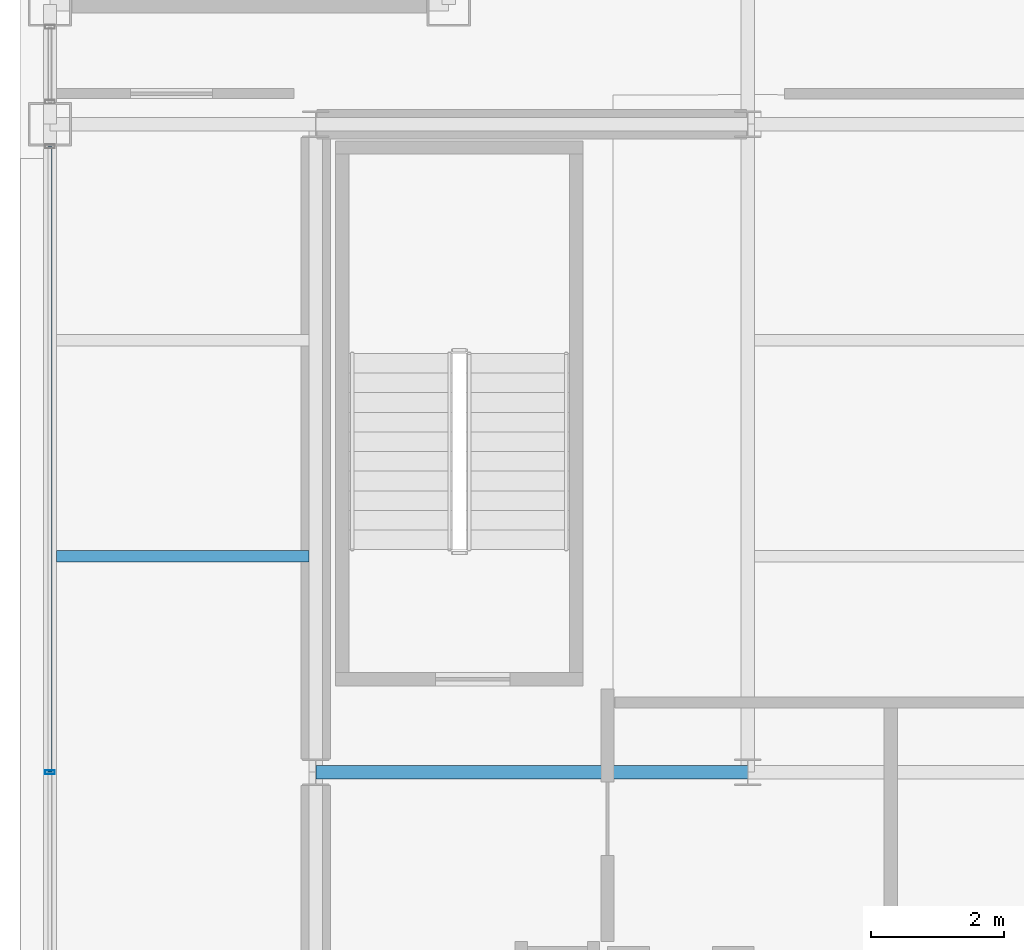
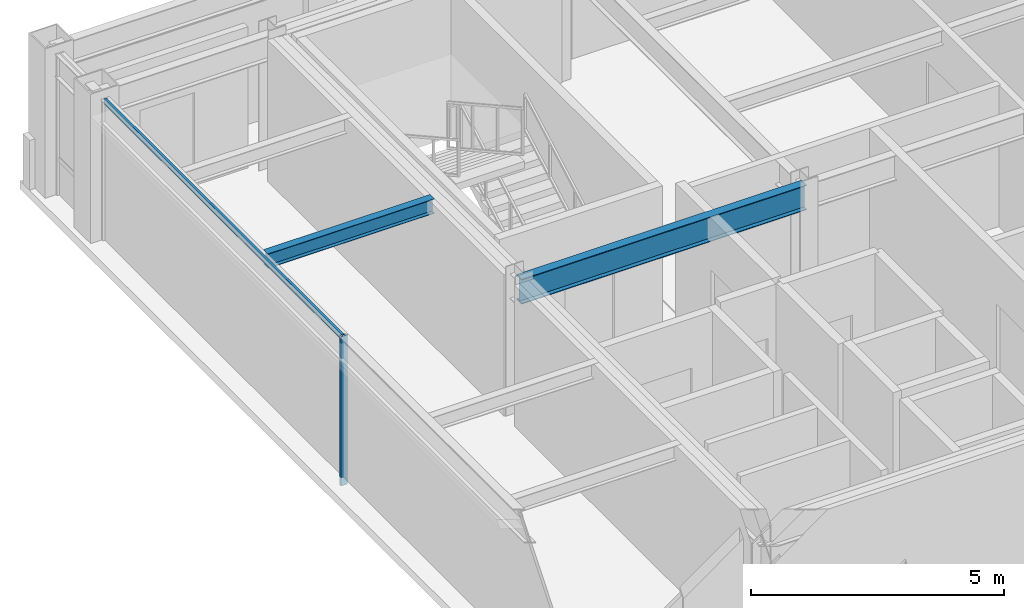
# One storey, part 7 of 24: 2 beams, 2 members, 1 element without a shape of its own.
"""IFC4 building model written with IfcOpenShell, lengths in metres."""

from ifc_helpers import new_model, si_unit, direction, frame, origin, origin_2d, place, context, subcontext, project, spatial, hollow_rectangle, i_section, extrude, material, layer, layer_set, material_profile, profile_set, type_object, element, aggregate, save


model = new_model("IFC4")

# Units and contexts
model_context = context("Model", 3, precision=1e-05, world=origin(), true_north=direction((0.0, 1.0)))
body_context = subcontext(model_context, "Body", "Model", "MODEL_VIEW")
ifc_project = project(units=[si_unit("LENGTHUNIT", "METRE"), si_unit("AREAUNIT", "SQUARE_METRE"), si_unit("VOLUMEUNIT", "CUBIC_METRE"), si_unit("PLANEANGLEUNIT", "RADIAN"), si_unit("MASSUNIT", "GRAM", prefix="KILO")], contexts=[model_context])

# Site, building, storey
site_placement = place(None, origin())
site = spatial("IfcSite", under=ifc_project, at=site_placement, CompositionType="ELEMENT")
building_placement = place(site_placement, origin())
building = spatial("IfcBuilding", under=site, at=building_placement, Name="Brelmoor Portico Tower", CompositionType="ELEMENT")
storey_placement = place(building_placement, frame((0.0, 0.0, 232.800048828125)))
storey = spatial("IfcBuildingStorey", under=building, at=storey_placement, Name="L61", CompositionType="ELEMENT", Elevation=232.800048828125)

# Beams
ifc_material_1 = material(Name="Steel Q355B", Category="steel")
ifc_material_profile_1 = material_profile(ifc_material_1, i_section(OverallWidth=0.175048828125, OverallDepth=0.35009765625, WebThickness=0.007080078125, FlangeThickness=0.010986328125, at=origin_2d()), Name="HN 350x175x7x11")
ifc_profile_set_1 = profile_set([ifc_material_profile_1], Name="Steel Q355B")
beam_type_1 = type_object("IfcBeamType", Name="BM-JS-350", PredefinedType="JOIST", material=ifc_profile_set_1)
beam_1_placement = place(storey_placement, frame((-18.449951171875, 3.25, 3.224853515625), z_axis=(1.0, 0.0, 0.0), x_axis=(0.0, 1.0, 0.0)))
element("IfcBeam", 1, at=beam_1_placement, inside=storey, type_object=beam_type_1, Name="L61 Secondary Wing Joist JS-W09", PredefinedType="JOIST", context=body_context, shape_type="SweptSolid", body=[
    extrude(i_section(OverallWidth=0.175048828125, OverallDepth=0.35009765625, WebThickness=0.007080078125, FlangeThickness=0.010986328125, at=origin_2d()), origin(), (0.0, 0.0, 1.0), 3.800048828125),
])
ifc_material_profile_2 = material_profile(ifc_material_1, i_section(OverallWidth=0.199951171875, OverallDepth=0.60009765625, WebThickness=0.010986328125, FlangeThickness=0.01708984375, at=origin_2d()), Name="HN 600x200x11x17")
ifc_profile_set_2 = profile_set([ifc_material_profile_2], Name="Steel Q355B")
beam_type_2 = type_object("IfcBeamType", Name="BM-PG-600", PredefinedType="BEAM", material=ifc_profile_set_2)
beam_2_placement = place(storey_placement, frame((-14.550048828125, 0.0, 3.099853515625), z_axis=(1.0, 0.0, 0.0), x_axis=(0.0, 1.0, 0.0)))
element("IfcBeam", 2, at=beam_2_placement, inside=storey, type_object=beam_type_2, Name="L61 Primary Floor Girder PG-16", PredefinedType="BEAM", context=body_context, shape_type="SweptSolid", body=[
    extrude(i_section(OverallWidth=0.199951171875, OverallDepth=0.60009765625, WebThickness=0.010986328125, FlangeThickness=0.01708984375, at=origin_2d()), origin(), (0.0, 0.0, 1.0), 6.5),
])

# Curtain wall, members
ifc_material_2 = material(Name="Anodised Aluminium Alloy 6063-T6", Category="aluminium")
ifc_layer = layer(ifc_material_2, 0.179931640625)
ifc_layer_set = layer_set([ifc_layer], Name="Anodised Aluminium Alloy 6063-T6")
curtain_wall_type = type_object("IfcCurtainWallType", Name="CW-TOWER-Z4-XB", PredefinedType="NOTDEFINED", material=ifc_layer_set)
curtain_wall_placement = place(storey_placement, origin())
curtain_wall = element("IfcCurtainWall", 3, at=curtain_wall_placement, inside=storey, type_object=curtain_wall_type, Name="L61 Curtain Wall CW-L61-03-2", PredefinedType="NOTDEFINED")
ifc_material_profile_3 = material_profile(ifc_material_2, hollow_rectangle(XDim=0.06005859375, YDim=0.14990234375, WallThickness=0.00390625, at=origin_2d()), Name="ALU MULLION 60x150")
ifc_profile_set_3 = profile_set([ifc_material_profile_3], Name="Anodised Aluminium Alloy 6063-T6")
member_type_1 = type_object("IfcMemberType", Name="MB-CW-MULL-150", PredefinedType="MULLION", material=ifc_profile_set_3)
member_1_placement = place(storey_placement, frame((-18.550048828125, 0.0, -0.199951171875), z_axis=(0.0, 0.0, 1.0), x_axis=(0.0, 1.0, 0.0)))
member_1 = element("IfcMember", 4, at=member_1_placement, type_object=member_type_1, Name="CW-L61-03-2 Mullion 01", PredefinedType="MULLION", context=body_context, shape_type="SweptSolid", body=[
    extrude(hollow_rectangle(XDim=0.06005859375, YDim=0.14990234375, WallThickness=0.00390625, at=origin_2d()), origin(), (0.0, 0.0, 1.0), 3.599853515625),
])
ifc_material_profile_4 = material_profile(ifc_material_2, hollow_rectangle(XDim=0.06005859375, YDim=0.125, WallThickness=0.00341796875, at=origin_2d()), Name="ALU TRANSOM 60x125")
ifc_profile_set_4 = profile_set([ifc_material_profile_4], Name="Anodised Aluminium Alloy 6063-T6")
member_type_2 = type_object("IfcMemberType", Name="MB-CW-TRAN-125", PredefinedType="USERDEFINED", material=ifc_profile_set_4)
member_2_placement = place(storey_placement, frame((-18.550048828125, 0.0, 3.33740234375), z_axis=(0.0, 1.0, 0.0), x_axis=(-1.0, 0.0, 0.0)))
member_2 = element("IfcMember", 5, at=member_2_placement, type_object=member_type_2, Name="CW-L61-03-2 Transom 1-01", ObjectType="TRANSOM", PredefinedType="USERDEFINED", context=body_context, shape_type="SweptSolid", body=[
    extrude(hollow_rectangle(XDim=0.06005859375, YDim=0.125, WallThickness=0.00341796875, at=origin_2d()), origin(), (0.0, 0.0, 1.0), 9.4150390625),
])
aggregate(curtain_wall, [member_1, member_2])

save(model, "model.ifc")
